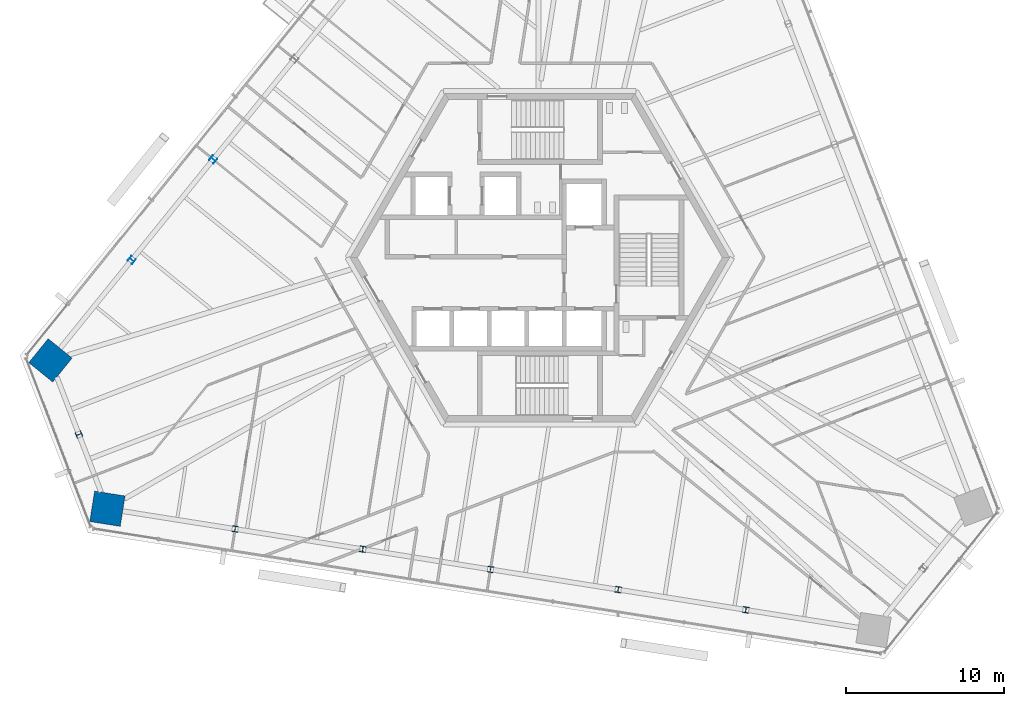
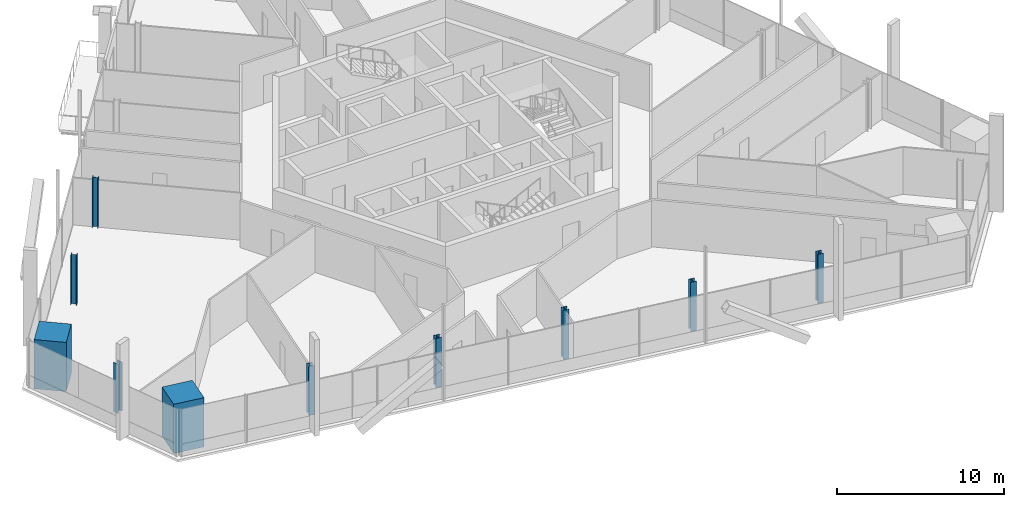
# One storey, part 1 of 21: 10 columns.
"""IFC4 building model written with IfcOpenShell, lengths in metres."""

from ifc_helpers import new_model, si_unit, direction, frame, origin, origin_2d, place, context, subcontext, project, spatial, rectangle, i_section, extrude, source, transform, mapped, material, material_profile, profile_set, type_object, element, save


model = new_model("IFC4")

# Units and contexts
model_context = context("Model", 3, precision=1e-05, world=origin(), true_north=direction((0.0, 1.0)))
body_context = subcontext(model_context, "Body", "Model", "MODEL_VIEW")
ifc_project = project(units=[si_unit("LENGTHUNIT", "METRE"), si_unit("AREAUNIT", "SQUARE_METRE"), si_unit("VOLUMEUNIT", "CUBIC_METRE"), si_unit("PLANEANGLEUNIT", "RADIAN"), si_unit("MASSUNIT", "GRAM", prefix="KILO")], contexts=[model_context])

# Site, building, storey
site_placement = place(None, origin())
site = spatial("IfcSite", under=ifc_project, at=site_placement, CompositionType="ELEMENT")
building_placement = place(site_placement, origin())
building = spatial("IfcBuilding", under=site, at=building_placement, Name="Triune Harvest Tower", CompositionType="ELEMENT")
storey_placement = place(building_placement, frame((0.0, 0.0, 146.10009765625)))
storey = spatial("IfcBuildingStorey", under=building, at=storey_placement, Name="L37", CompositionType="ELEMENT", Elevation=146.10009765625)

# Columns
ifc_material_1 = material(Name="Concrete 70 MPa", Category="concrete")
ifc_material_profile_1 = material_profile(ifc_material_1, rectangle(XDim=1.949951171875, YDim=1.949951171875, at=origin_2d()), Name="Composite 1950x1950")
ifc_profile_set_1 = profile_set([ifc_material_profile_1], Name="Concrete 70 MPa")
column_type_1 = type_object("IfcColumnType", Name="MC-4 Mega column Composite 1950x1950", PredefinedType="COLUMN", material=ifc_profile_set_1)
shared_shape_1 = source(origin(), body_context, "Body", "SweptSolid", [
    extrude(rectangle(XDim=1.949951171875, YDim=1.949951171875, at=origin_2d()), origin(), (0.0, 0.0, 1.0), 3.599853515625),
])
for number, where, z_axis, x_axis, name in (
    (1, (-30.947509765625, -6.4970703125, 0.0), (0.0, 0.0, 1.0), (-0.629321747424, -0.777144863084, 0.0), "col/L37/M14"),
    (2, (-27.345703125, -15.879638671875, 0.0), (0.0, 0.0, 1.0), (0.987688340595, -0.15643446504, 0.0), "col/L37/M16"),
):
    element("IfcColumn", number, at=place(storey_placement, frame(where, z_axis=z_axis, x_axis=x_axis)), inside=storey, type_object=column_type_1, Name=name, PredefinedType="COLUMN", context=body_context, shape_type="MappedRepresentation", body=[
        mapped(shared_shape_1, transform((0.0, 0.0, 0.0), scale=1.0)),
    ])
ifc_material_2 = material(Name="Steel ASTM A992 Gr 50", Category="steel")
ifc_material_profile_2 = material_profile(ifc_material_2, i_section(OverallWidth=0.373291015625, OverallDepth=0.373291015625, WebThickness=0.016357421875, FlangeThickness=0.026123046875, at=origin_2d()), Name="W14x132")
ifc_profile_set_2 = profile_set([ifc_material_profile_2], Name="Steel ASTM A992 Gr 50")
column_type_2 = type_object("IfcColumnType", Name="PC-4 Perimeter column W14x132", PredefinedType="COLUMN", material=ifc_profile_set_2)
shared_shape_2 = source(origin(), body_context, "Body", "SweptSolid", [
    extrude(i_section(OverallWidth=0.373291015625, OverallDepth=0.373291015625, WebThickness=0.016357421875, FlangeThickness=0.026123046875, at=origin_2d()), origin(), (0.0, 0.0, 1.0), 3.599853515625),
])
for number, where, z_axis, x_axis, name in (
    (3, (-20.657958984375, 6.209228515625, 0.0), (0.0, 0.0, 1.0), (-0.629321747424, -0.777144863084, 0.0), "col/L37/P12"),
    (4, (-25.802734375, -0.143798828125, 0.0), (0.0, 0.0, 1.0), (-0.629321747424, -0.777144863084, 0.0), "col/L37/P13"),
    (5, (-29.146484375, -11.188232421875, 0.0), (0.0, 0.0, 1.0), (0.35836632014, -0.933581051966, 0.0), "col/L37/P15"),
    (6, (-19.271484375, -17.158447265625, 0.0), (0.0, 0.0, 1.0), (0.987688340595, -0.15643446504, 0.0), "col/L37/P17"),
    (7, (-11.197021484375, -18.437255859375, 0.0), (0.0, 0.0, 1.0), (0.987688340595, -0.15643446504, 0.0), "col/L37/P18"),
    (8, (-3.122802734375, -19.716064453125, 0.0), (0.0, 0.0, 1.0), (0.987688340595, -0.15643446504, 0.0), "col/L37/P19"),
    (9, (4.95166015625, -20.9951171875, 0.0), (0.0, 0.0, 1.0), (0.987688340595, -0.15643446504, 0.0), "col/L37/P20"),
    (10, (13.02587890625, -22.27392578125, 0.0), (0.0, 0.0, 1.0), (0.987688340595, -0.15643446504, 0.0), "col/L37/P21"),
):
    element("IfcColumn", number, at=place(storey_placement, frame(where, z_axis=z_axis, x_axis=x_axis)), inside=storey, type_object=column_type_2, Name=name, PredefinedType="COLUMN", context=body_context, shape_type="MappedRepresentation", body=[
        mapped(shared_shape_2, transform((0.0, 0.0, 0.0), scale=1.0)),
    ])

save(model, "model.ifc")
